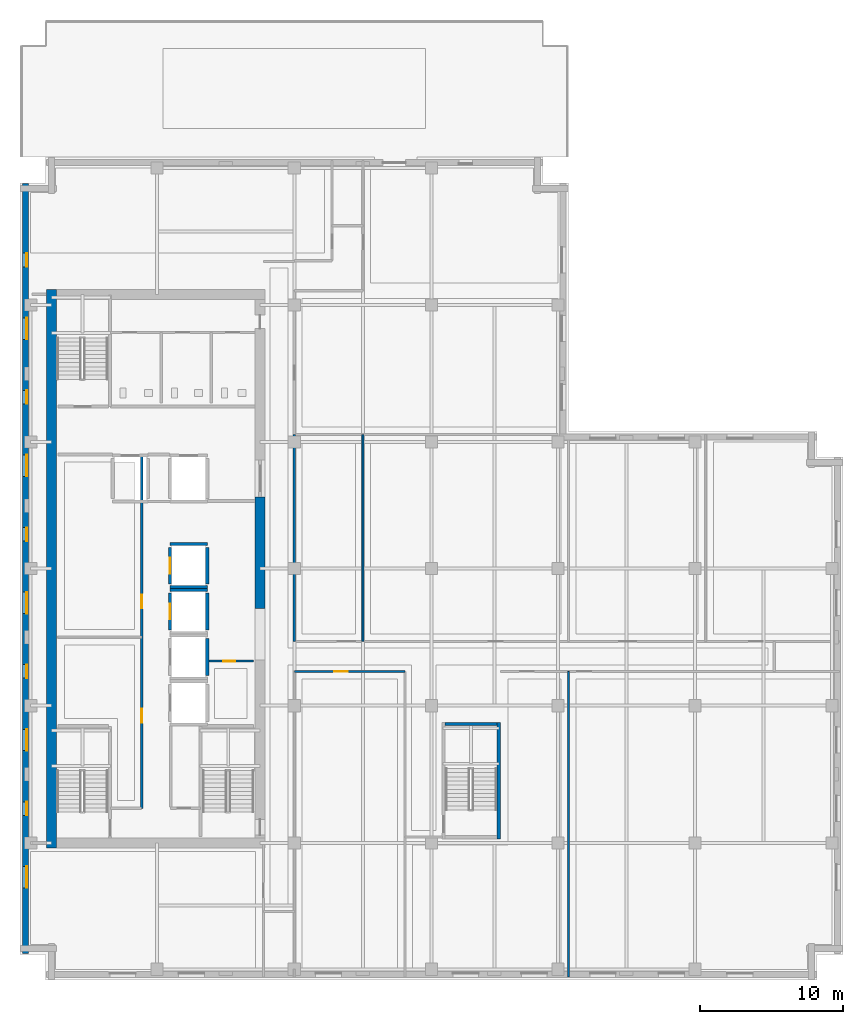
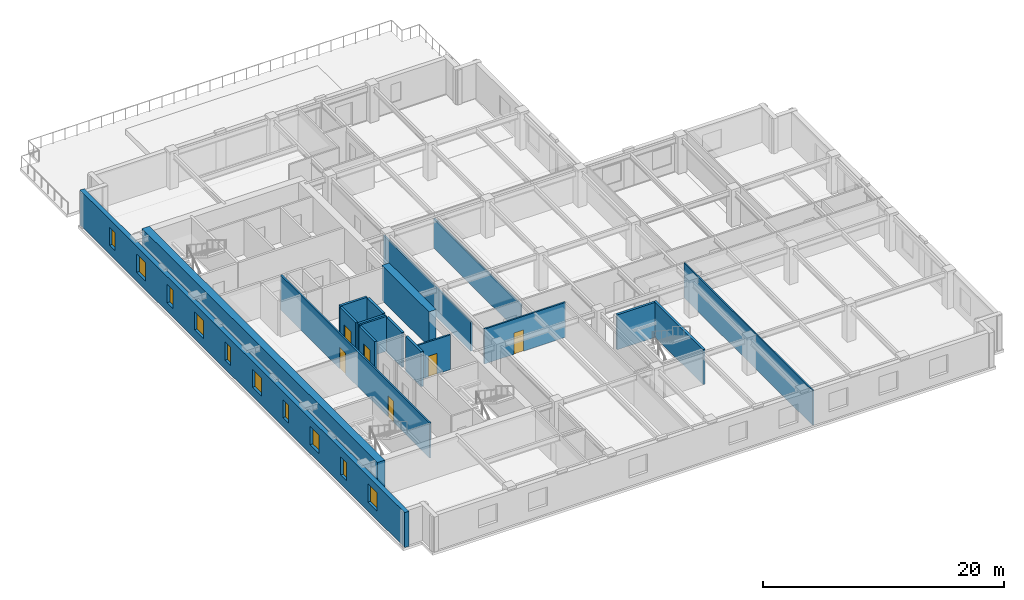
# One storey, part 4 of 12: 19 walls, 10 windows, 6 doors, 16 openings.
"""IFC4 building model written with IfcOpenShell, lengths in metres."""

from ifc_helpers import new_model, si_unit, direction, frame, frame_2d, origin, place, context, subcontext, project, spatial, rectangle, extrude, material, layer, layer_set, type_object, element, fill, save


model = new_model("IFC4")

# Units and contexts
model_context = context("Model", 3, precision=1e-05, world=origin(), true_north=direction((0.0, 1.0)))
body_context = subcontext(model_context, "Body", "Model", "MODEL_VIEW")
ifc_project = project(units=[si_unit("LENGTHUNIT", "METRE"), si_unit("AREAUNIT", "SQUARE_METRE"), si_unit("VOLUMEUNIT", "CUBIC_METRE"), si_unit("PLANEANGLEUNIT", "RADIAN"), si_unit("MASSUNIT", "GRAM", prefix="KILO")], contexts=[model_context])

# Site, building, storey
site_placement = place(None, origin())
site = spatial("IfcSite", under=ifc_project, at=site_placement, CompositionType="ELEMENT")
building_placement = place(site_placement, origin())
building = spatial("IfcBuilding", under=site, at=building_placement, Name="Norrvale University Quadrangle", CompositionType="ELEMENT")
storey_placement = place(building_placement, frame((0.0, 0.0, 199.0)))
storey = spatial("IfcBuildingStorey", under=building, at=storey_placement, Name="L50", CompositionType="ELEMENT", Elevation=199.0)

# Wall, openings, windows
ifc_material_1 = material(Name="Buff Norman Clay Brick Masonry", Category="masonry")
ifc_layer_1 = layer(ifc_material_1, 0.419921875, Name="Buff Norman Clay Brick Masonry")
ifc_layer_set_1 = layer_set([ifc_layer_1], Name="Buff Norman Clay Brick Masonry")
wall_type_1 = type_object("IfcWallType", Name="Wall Buff Brick 420", PredefinedType="SOLIDWALL", material=ifc_layer_set_1)
wall_1_placement = place(storey_placement, frame((0.389892578125, 55.760009765625, 0.0), z_axis=(0.0, 0.0, 1.0), x_axis=(0.0, -1.0, 0.0)))
wall_1 = element("IfcWall", 1, at=wall_1_placement, inside=storey, type_object=wall_type_1, Name="Exterior Brick Facade Wall L50-14.1", PredefinedType="SOLIDWALL", context=body_context, shape_type="SweptSolid", body=[
    extrude(rectangle(XDim=53.919921875, YDim=0.419921875, at=frame_2d((26.9599609375, 0.0))), origin(), (0.0, 0.0, 1.0), 3.5400390625),
])
opening_1_placement = place(wall_1_placement, frame((4.885009765625, 0.0, 0.89990234375)))
opening_1 = element("IfcOpeningElement", 2, at=opening_1_placement, cuts=wall_1, Name="Opening W04", PredefinedType="OPENING", context=body_context, shape_type="SweptSolid", body=[
    extrude(rectangle(XDim=0.949951171875, YDim=1.85009765625, at=frame_2d((0.47509765625, 0.925048828125))), frame((0.0, 0.221923828125, 0.0), z_axis=(0.0, -1.0, 0.0), x_axis=(1.0, 0.0, 0.0)), (0.0, 0.0, 1.0), 0.44384765625),
])
opening_2_placement = place(wall_1_placement, frame((9.409912109375, 0.0, 0.89990234375)))
opening_2 = element("IfcOpeningElement", 3, at=opening_2_placement, cuts=wall_1, Name="Opening W03", PredefinedType="OPENING", context=body_context, shape_type="SweptSolid", body=[
    extrude(rectangle(XDim=1.5, YDim=1.85009765625, at=frame_2d((0.75, 0.925048828125))), frame((0.0, 0.221923828125, 0.0), z_axis=(0.0, -1.0, 0.0), x_axis=(1.0, 0.0, 0.0)), (0.0, 0.0, 1.0), 0.44384765625),
])
opening_3_placement = place(wall_1_placement, frame((14.485107421875, 0.0, 0.89990234375)))
opening_3 = element("IfcOpeningElement", 4, at=opening_3_placement, cuts=wall_1, Name="Opening W04", PredefinedType="OPENING", context=body_context, shape_type="SweptSolid", body=[
    extrude(rectangle(XDim=0.949951171875, YDim=1.85009765625, at=frame_2d((0.47509765625, 0.925048828125))), frame((0.0, 0.221923828125, 0.0), z_axis=(0.0, -1.0, 0.0), x_axis=(1.0, 0.0, 0.0)), (0.0, 0.0, 1.0), 0.44384765625),
])
opening_4_placement = place(wall_1_placement, frame((19.010009765625, 0.0, 0.89990234375)))
opening_4 = element("IfcOpeningElement", 5, at=opening_4_placement, cuts=wall_1, Name="Opening W03", PredefinedType="OPENING", context=body_context, shape_type="SweptSolid", body=[
    extrude(rectangle(XDim=1.5, YDim=1.85009765625, at=frame_2d((0.75, 0.925048828125))), frame((0.0, 0.221923828125, 0.0), z_axis=(0.0, -1.0, 0.0), x_axis=(1.0, 0.0, 0.0)), (0.0, 0.0, 1.0), 0.44384765625),
])
opening_5_placement = place(wall_1_placement, frame((24.0849609375, 0.0, 0.89990234375)))
opening_5 = element("IfcOpeningElement", 6, at=opening_5_placement, cuts=wall_1, Name="Opening W04", PredefinedType="OPENING", context=body_context, shape_type="SweptSolid", body=[
    extrude(rectangle(XDim=0.949951171875, YDim=1.85009765625, at=frame_2d((0.47509765625, 0.925048828125))), frame((0.0, 0.221923828125, 0.0), z_axis=(0.0, -1.0, 0.0), x_axis=(1.0, 0.0, 0.0)), (0.0, 0.0, 1.0), 0.44384765625),
])
opening_6_placement = place(wall_1_placement, frame((28.610107421875, 0.0, 0.89990234375)))
opening_6 = element("IfcOpeningElement", 7, at=opening_6_placement, cuts=wall_1, Name="Opening W03", PredefinedType="OPENING", context=body_context, shape_type="SweptSolid", body=[
    extrude(rectangle(XDim=1.5, YDim=1.85009765625, at=frame_2d((0.75, 0.925048828125))), frame((0.0, 0.221923828125, 0.0), z_axis=(0.0, -1.0, 0.0), x_axis=(1.0, 0.0, 0.0)), (0.0, 0.0, 1.0), 0.44384765625),
])
opening_7_placement = place(wall_1_placement, frame((33.68505859375, 0.0, 0.89990234375)))
opening_7 = element("IfcOpeningElement", 8, at=opening_7_placement, cuts=wall_1, Name="Opening W04", PredefinedType="OPENING", context=body_context, shape_type="SweptSolid", body=[
    extrude(rectangle(XDim=0.949951171875, YDim=1.85009765625, at=frame_2d((0.47509765625, 0.925048828125))), frame((0.0, 0.221923828125, 0.0), z_axis=(0.0, -1.0, 0.0), x_axis=(1.0, 0.0, 0.0)), (0.0, 0.0, 1.0), 0.44384765625),
])
opening_8_placement = place(wall_1_placement, frame((38.2099609375, 0.0, 0.89990234375)))
opening_8 = element("IfcOpeningElement", 9, at=opening_8_placement, cuts=wall_1, Name="Opening W03", PredefinedType="OPENING", context=body_context, shape_type="SweptSolid", body=[
    extrude(rectangle(XDim=1.5, YDim=1.85009765625, at=frame_2d((0.75, 0.925048828125))), frame((0.0, 0.221923828125, 0.0), z_axis=(0.0, -1.0, 0.0), x_axis=(1.0, 0.0, 0.0)), (0.0, 0.0, 1.0), 0.44384765625),
])
opening_9_placement = place(wall_1_placement, frame((43.284912109375, 0.0, 0.89990234375)))
opening_9 = element("IfcOpeningElement", 10, at=opening_9_placement, cuts=wall_1, Name="Opening W04", PredefinedType="OPENING", context=body_context, shape_type="SweptSolid", body=[
    extrude(rectangle(XDim=0.949951171875, YDim=1.85009765625, at=frame_2d((0.47509765625, 0.925048828125))), frame((0.0, 0.221923828125, 0.0), z_axis=(0.0, -1.0, 0.0), x_axis=(1.0, 0.0, 0.0)), (0.0, 0.0, 1.0), 0.44384765625),
])
opening_10_placement = place(wall_1_placement, frame((47.81005859375, 0.0, 0.89990234375)))
opening_10 = element("IfcOpeningElement", 11, at=opening_10_placement, cuts=wall_1, Name="Opening W03", PredefinedType="OPENING", context=body_context, shape_type="SweptSolid", body=[
    extrude(rectangle(XDim=1.5, YDim=1.85009765625, at=frame_2d((0.75, 0.925048828125))), frame((0.0, 0.221923828125, 0.0), z_axis=(0.0, -1.0, 0.0), x_axis=(1.0, 0.0, 0.0)), (0.0, 0.0, 1.0), 0.44384765625),
])
ifc_material_2 = material(Name="Triple Low-E Argon Glazing", Category="glass")
window_type_1 = type_object("IfcWindowType", Name="Window Narrow Pier 950x2300", PartitioningType="SINGLE_PANEL", PredefinedType="WINDOW", material=ifc_material_2)
window_1_placement = place(opening_1_placement, origin())
window_1 = element("IfcWindow", 12, at=window_1_placement, inside=storey, type_object=window_type_1, Name="Window Narrow Pier 950x2300 WIN-L50-E14-1-01", OverallHeight=1.85009765625, OverallWidth=0.949951171875, PartitioningType="SINGLE_PANEL", PredefinedType="WINDOW", context=body_context, shape_type="SweptSolid", body=[
    extrude(rectangle(XDim=0.949951171875, YDim=1.85009765625, at=frame_2d((0.47509765625, 0.925048828125))), frame((0.0, 0.110107421875, 0.0), z_axis=(0.0, -1.0, 0.0), x_axis=(1.0, 0.0, 0.0)), (0.0, 0.0, 1.0), 0.06005859375),
])
fill(opening_1, window_1)
window_2_placement = place(opening_3_placement, origin())
window_2 = element("IfcWindow", 13, at=window_2_placement, inside=storey, type_object=window_type_1, Name="Window Narrow Pier 950x2300 WIN-L50-E14-1-03", OverallHeight=1.85009765625, OverallWidth=0.949951171875, PartitioningType="SINGLE_PANEL", PredefinedType="WINDOW", context=body_context, shape_type="SweptSolid", body=[
    extrude(rectangle(XDim=0.949951171875, YDim=1.85009765625, at=frame_2d((0.47509765625, 0.925048828125))), frame((0.0, 0.110107421875, 0.0), z_axis=(0.0, -1.0, 0.0), x_axis=(1.0, 0.0, 0.0)), (0.0, 0.0, 1.0), 0.06005859375),
])
fill(opening_3, window_2)
window_3_placement = place(opening_5_placement, origin())
window_3 = element("IfcWindow", 14, at=window_3_placement, inside=storey, type_object=window_type_1, Name="Window Narrow Pier 950x2300 WIN-L50-E14-1-05", OverallHeight=1.85009765625, OverallWidth=0.949951171875, PartitioningType="SINGLE_PANEL", PredefinedType="WINDOW", context=body_context, shape_type="SweptSolid", body=[
    extrude(rectangle(XDim=0.949951171875, YDim=1.85009765625, at=frame_2d((0.47509765625, 0.925048828125))), frame((0.0, 0.110107421875, 0.0), z_axis=(0.0, -1.0, 0.0), x_axis=(1.0, 0.0, 0.0)), (0.0, 0.0, 1.0), 0.06005859375),
])
fill(opening_5, window_3)
window_4_placement = place(opening_7_placement, origin())
window_4 = element("IfcWindow", 15, at=window_4_placement, inside=storey, type_object=window_type_1, Name="Window Narrow Pier 950x2300 WIN-L50-E14-1-07", OverallHeight=1.85009765625, OverallWidth=0.949951171875, PartitioningType="SINGLE_PANEL", PredefinedType="WINDOW", context=body_context, shape_type="SweptSolid", body=[
    extrude(rectangle(XDim=0.949951171875, YDim=1.85009765625, at=frame_2d((0.47509765625, 0.925048828125))), frame((0.0, 0.110107421875, 0.0), z_axis=(0.0, -1.0, 0.0), x_axis=(1.0, 0.0, 0.0)), (0.0, 0.0, 1.0), 0.06005859375),
])
fill(opening_7, window_4)
window_5_placement = place(opening_9_placement, origin())
window_5 = element("IfcWindow", 16, at=window_5_placement, inside=storey, type_object=window_type_1, Name="Window Narrow Pier 950x2300 WIN-L50-E14-1-09", OverallHeight=1.85009765625, OverallWidth=0.949951171875, PartitioningType="SINGLE_PANEL", PredefinedType="WINDOW", context=body_context, shape_type="SweptSolid", body=[
    extrude(rectangle(XDim=0.949951171875, YDim=1.85009765625, at=frame_2d((0.47509765625, 0.925048828125))), frame((0.0, 0.110107421875, 0.0), z_axis=(0.0, -1.0, 0.0), x_axis=(1.0, 0.0, 0.0)), (0.0, 0.0, 1.0), 0.06005859375),
])
fill(opening_9, window_5)
window_type_2 = type_object("IfcWindowType", Name="Window Studio 1500x2300", PartitioningType="DOUBLE_PANEL_VERTICAL", PredefinedType="WINDOW", material=ifc_material_2)
window_6_placement = place(opening_2_placement, origin())
window_6 = element("IfcWindow", 17, at=window_6_placement, inside=storey, type_object=window_type_2, Name="Window Studio 1500x2300 WIN-L50-E14-1-02", OverallHeight=1.85009765625, OverallWidth=1.5, PartitioningType="DOUBLE_PANEL_VERTICAL", PredefinedType="WINDOW", context=body_context, shape_type="SweptSolid", body=[
    extrude(rectangle(XDim=1.5, YDim=1.85009765625, at=frame_2d((0.75, 0.925048828125))), frame((0.0, 0.110107421875, 0.0), z_axis=(0.0, -1.0, 0.0), x_axis=(1.0, 0.0, 0.0)), (0.0, 0.0, 1.0), 0.06005859375),
])
fill(opening_2, window_6)
window_7_placement = place(opening_4_placement, origin())
window_7 = element("IfcWindow", 18, at=window_7_placement, inside=storey, type_object=window_type_2, Name="Window Studio 1500x2300 WIN-L50-E14-1-04", OverallHeight=1.85009765625, OverallWidth=1.5, PartitioningType="DOUBLE_PANEL_VERTICAL", PredefinedType="WINDOW", context=body_context, shape_type="SweptSolid", body=[
    extrude(rectangle(XDim=1.5, YDim=1.85009765625, at=frame_2d((0.75, 0.925048828125))), frame((0.0, 0.110107421875, 0.0), z_axis=(0.0, -1.0, 0.0), x_axis=(1.0, 0.0, 0.0)), (0.0, 0.0, 1.0), 0.06005859375),
])
fill(opening_4, window_7)
window_8_placement = place(opening_6_placement, origin())
window_8 = element("IfcWindow", 19, at=window_8_placement, inside=storey, type_object=window_type_2, Name="Window Studio 1500x2300 WIN-L50-E14-1-06", OverallHeight=1.85009765625, OverallWidth=1.5, PartitioningType="DOUBLE_PANEL_VERTICAL", PredefinedType="WINDOW", context=body_context, shape_type="SweptSolid", body=[
    extrude(rectangle(XDim=1.5, YDim=1.85009765625, at=frame_2d((0.75, 0.925048828125))), frame((0.0, 0.110107421875, 0.0), z_axis=(0.0, -1.0, 0.0), x_axis=(1.0, 0.0, 0.0)), (0.0, 0.0, 1.0), 0.06005859375),
])
fill(opening_6, window_8)
window_9_placement = place(opening_8_placement, origin())
window_9 = element("IfcWindow", 20, at=window_9_placement, inside=storey, type_object=window_type_2, Name="Window Studio 1500x2300 WIN-L50-E14-1-08", OverallHeight=1.85009765625, OverallWidth=1.5, PartitioningType="DOUBLE_PANEL_VERTICAL", PredefinedType="WINDOW", context=body_context, shape_type="SweptSolid", body=[
    extrude(rectangle(XDim=1.5, YDim=1.85009765625, at=frame_2d((0.75, 0.925048828125))), frame((0.0, 0.110107421875, 0.0), z_axis=(0.0, -1.0, 0.0), x_axis=(1.0, 0.0, 0.0)), (0.0, 0.0, 1.0), 0.06005859375),
])
fill(opening_8, window_9)
window_10_placement = place(opening_10_placement, origin())
window_10 = element("IfcWindow", 21, at=window_10_placement, inside=storey, type_object=window_type_2, Name="Window Studio 1500x2300 WIN-L50-E14-1-10", OverallHeight=1.85009765625, OverallWidth=1.5, PartitioningType="DOUBLE_PANEL_VERTICAL", PredefinedType="WINDOW", context=body_context, shape_type="SweptSolid", body=[
    extrude(rectangle(XDim=1.5, YDim=1.85009765625, at=frame_2d((0.75, 0.925048828125))), frame((0.0, 0.110107421875, 0.0), z_axis=(0.0, -1.0, 0.0), x_axis=(1.0, 0.0, 0.0)), (0.0, 0.0, 1.0), 0.06005859375),
])
fill(opening_10, window_10)

# Walls
ifc_material_3 = material(Name="Concrete C60/75", Category="concrete")
ifc_layer_2 = layer(ifc_material_3, 0.699951171875, Name="Concrete C60/75")
ifc_layer_set_2 = layer_set([ifc_layer_2], Name="Concrete C60/75")
wall_type_2 = type_object("IfcWallType", Name="Wall Core 700", PredefinedType="SHEAR", material=ifc_layer_set_2)
wall_2_placement = place(storey_placement, frame((2.199951171875, 9.25, 0.0), z_axis=(0.0, 0.0, 1.0), x_axis=(0.0, 1.0, 0.0)))
element("IfcWall", 22, at=wall_2_placement, inside=storey, type_object=wall_type_2, Name="Tower Core Shear Wall L50-W", PredefinedType="SHEAR", context=body_context, shape_type="SweptSolid", body=[
    extrude(rectangle(XDim=39.10009765625, YDim=0.699951171875, at=frame_2d((19.550048828125, 0.0))), origin(), (0.0, 0.0, 1.0), 3.5400390625),
])
wall_3_placement = place(storey_placement, frame((16.800048828125, 26.0, 0.0), z_axis=(0.0, 0.0, 1.0), x_axis=(0.0, 1.0, 0.0)))
element("IfcWall", 23, at=wall_3_placement, inside=storey, type_object=wall_type_2, Name="Tower Core Shear Wall L50-E2", PredefinedType="SHEAR", context=body_context, shape_type="SweptSolid", body=[
    extrude(rectangle(XDim=7.800048828125, YDim=0.699951171875, at=frame_2d((3.89990234375, 0.0))), origin(), (0.0, 0.0, 1.0), 3.5400390625),
])
ifc_material_4 = material(Name="Standard Academic Gypsum Partition")
ifc_layer_3 = layer(ifc_material_4, 0.125, Name="Standard Academic Gypsum Partition")
ifc_layer_set_3 = layer_set([ifc_layer_3], Name="Standard Academic Gypsum Partition")
wall_type_3 = type_object("IfcWallType", Name="Wall Gypsum Academic 125", PredefinedType="PARTITIONING", material=ifc_layer_set_3)
wall_4_placement = place(storey_placement, frame((38.39990234375, 0.219970703125, 0.0), z_axis=(0.0, 0.0, 1.0), x_axis=(0.0, 1.0, 0.0)))
element("IfcWall", 24, at=wall_4_placement, inside=storey, type_object=wall_type_3, Name="Interior Partition WL-L50-SEP2", PredefinedType="PARTITIONING", context=body_context, shape_type="SweptSolid", body=[
    extrude(rectangle(XDim=21.380126953125, YDim=0.125, at=frame_2d((10.68994140625, 0.0))), origin(), (0.0, 0.0, 1.0), 3.5400390625),
])
wall_5_placement = place(storey_placement, frame((24.0, 23.699951171875, 0.0), z_axis=(0.0, 0.0, 1.0), x_axis=(0.0, 1.0, 0.0)))
element("IfcWall", 25, at=wall_5_placement, inside=storey, type_object=wall_type_3, Name="Interior Partition WL-L50-MEP01", PredefinedType="PARTITIONING", context=body_context, shape_type="SweptSolid", body=[
    extrude(rectangle(XDim=14.47998046875, YDim=0.125, at=frame_2d((7.239990234375, 0.0))), origin(), (0.0, 0.0, 1.0), 3.007080078125),
])

# Wall, opening, door
ifc_material_5 = material(Name="Fire-Rated Gypsum Stud Partition")
ifc_layer_4 = layer(ifc_material_5, 0.14990234375, Name="Fire-Rated Gypsum Stud Partition")
ifc_layer_set_4 = layer_set([ifc_layer_4], Name="Fire-Rated Gypsum Stud Partition")
wall_type_4 = type_object("IfcWallType", Name="Wall Gypsum Corridor 150", PredefinedType="PARTITIONING", material=ifc_layer_set_4)
wall_6_placement = place(storey_placement, frame((13.22509765625, 22.320068359375, 0.0), z_axis=(0.0, 0.0, 1.0), x_axis=(1.0, 0.0, 0.0)))
wall_6 = element("IfcWall", 26, at=wall_6_placement, inside=storey, type_object=wall_type_4, Name="Interior Partition WL-L50-JAN-N", PredefinedType="PARTITIONING", context=body_context, shape_type="SweptSolid", body=[
    extrude(rectangle(XDim=3.119873046875, YDim=0.14990234375, at=frame_2d((1.56005859375, 0.0))), origin(), (0.0, 0.0, 1.0), 3.5400390625),
])
opening_11_placement = place(wall_6_placement, frame((1.0, 0.0, 0.0)))
opening_11 = element("IfcOpeningElement", 27, at=opening_11_placement, cuts=wall_6, Name="Opening D10", PredefinedType="OPENING", context=body_context, shape_type="SweptSolid", body=[
    extrude(rectangle(XDim=0.85009765625, YDim=2.10009765625, at=frame_2d((0.425048828125, 1.050048828125))), frame((0.0, 0.0869140625, 0.0), z_axis=(0.0, -1.0, 0.0), x_axis=(1.0, 0.0, 0.0)), (0.0, 0.0, 1.0), 0.173828125),
])
ifc_material_6 = material(Name="Hollow Steel 350W Riser Fire Door", Category="steel")
door_type_1 = type_object("IfcDoorType", Name="Door Riser 850x2100", OperationType="NOTDEFINED", PredefinedType="DOOR", material=ifc_material_6)
door_1_placement = place(opening_11_placement, origin())
door_1 = element("IfcDoor", 28, at=door_1_placement, inside=storey, type_object=door_type_1, Name="Door Riser 850x2100 DR-L50-JAN", OperationType="SINGLE_SWING_LEFT", OverallHeight=2.10009765625, OverallWidth=0.85009765625, PredefinedType="DOOR", context=body_context, shape_type="SweptSolid", body=[
    extrude(rectangle(XDim=0.85009765625, YDim=2.10009765625, at=frame_2d((0.425048828125, 1.050048828125))), frame((0.0, 0.02490234375, 0.0), z_axis=(0.0, -1.0, 0.0), x_axis=(1.0, 0.0, 0.0)), (0.0, 0.0, 1.0), 0.050048828125),
])
fill(opening_11, door_1)

# Wall, openings, doors
wall_7_placement = place(storey_placement, frame((8.52001953125, 12.02001953125, 0.0), z_axis=(0.0, 0.0, 1.0), x_axis=(0.0, 1.0, 0.0)))
wall_7 = element("IfcWall", 29, at=wall_7_placement, inside=storey, type_object=wall_type_4, Name="Interior Partition WL-L50-REC-E", PredefinedType="PARTITIONING", context=body_context, shape_type="SweptSolid", body=[
    extrude(rectangle(XDim=24.760009765625, YDim=0.14990234375, at=frame_2d((12.3798828125, 0.0))), origin(), (0.0, 0.0, 1.0), 3.5400390625),
])
opening_12_placement = place(wall_7_placement, frame((6.0, 0.0, 0.0)))
opening_12 = element("IfcOpeningElement", 30, at=opening_12_placement, cuts=wall_7, Name="Opening D07", PredefinedType="OPENING", context=body_context, shape_type="SweptSolid", body=[
    extrude(rectangle(XDim=0.949951171875, YDim=2.14990234375, at=frame_2d((0.47509765625, 1.074951171875))), frame((0.0, 0.0869140625, 0.0), z_axis=(0.0, -1.0, 0.0), x_axis=(1.0, 0.0, 0.0)), (0.0, 0.0, 1.0), 0.173828125),
])
opening_13_placement = place(wall_7_placement, frame((14.0, 0.0, 0.0)))
opening_13 = element("IfcOpeningElement", 31, at=opening_13_placement, cuts=wall_7, Name="Opening D07", PredefinedType="OPENING", context=body_context, shape_type="SweptSolid", body=[
    extrude(rectangle(XDim=0.949951171875, YDim=2.14990234375, at=frame_2d((0.47509765625, 1.074951171875))), frame((0.0, 0.0869140625, 0.0), z_axis=(0.0, -1.0, 0.0), x_axis=(1.0, 0.0, 0.0)), (0.0, 0.0, 1.0), 0.173828125),
])
ifc_material_7 = material(Name="Solid-Core Maple Door", Category="wood")
door_type_2 = type_object("IfcDoorType", Name="Door Office 950x2150", OperationType="NOTDEFINED", PredefinedType="DOOR", material=ifc_material_7)
door_2_placement = place(opening_12_placement, origin())
door_2 = element("IfcDoor", 32, at=door_2_placement, inside=storey, type_object=door_type_2, Name="Door Office 950x2150 DR-L50-REC1", OperationType="SINGLE_SWING_LEFT", OverallHeight=2.14990234375, OverallWidth=0.949951171875, PredefinedType="DOOR", context=body_context, shape_type="SweptSolid", body=[
    extrude(rectangle(XDim=0.949951171875, YDim=2.14990234375, at=frame_2d((0.47509765625, 1.074951171875))), frame((0.0, 0.02490234375, 0.0), z_axis=(0.0, -1.0, 0.0), x_axis=(1.0, 0.0, 0.0)), (0.0, 0.0, 1.0), 0.050048828125),
])
fill(opening_12, door_2)
door_3_placement = place(opening_13_placement, origin())
door_3 = element("IfcDoor", 33, at=door_3_placement, inside=storey, type_object=door_type_2, Name="Door Office 950x2150 DR-L50-REC2", OperationType="SINGLE_SWING_RIGHT", OverallHeight=2.14990234375, OverallWidth=0.949951171875, PredefinedType="DOOR", context=body_context, shape_type="SweptSolid", body=[
    extrude(rectangle(XDim=0.949951171875, YDim=2.14990234375, at=frame_2d((0.47509765625, 1.074951171875))), frame((0.0, 0.02490234375, 0.0), z_axis=(0.0, -1.0, 0.0), x_axis=(1.0, 0.0, 0.0)), (0.0, 0.0, 1.0), 0.050048828125),
])
fill(opening_13, door_3)

# Wall, opening, door
wall_8_placement = place(storey_placement, frame((19.199951171875, 21.60009765625, 0.0), z_axis=(0.0, 0.0, 1.0), x_axis=(1.0, 0.0, 0.0)))
wall_8 = element("IfcWall", 34, at=wall_8_placement, inside=storey, type_object=wall_type_4, Name="Interior Partition WL-L50-SEW1", PredefinedType="PARTITIONING", context=body_context, shape_type="SweptSolid", body=[
    extrude(rectangle(XDim=7.75, YDim=0.14990234375, at=frame_2d((3.875, 0.0))), origin(), (0.0, 0.0, 1.0), 3.5400390625),
])
opening_14_placement = place(wall_8_placement, frame((2.800048828125, 0.0, 0.0)))
opening_14 = element("IfcOpeningElement", 35, at=opening_14_placement, cuts=wall_8, Name="Opening D07", PredefinedType="OPENING", context=body_context, shape_type="SweptSolid", body=[
    extrude(rectangle(XDim=0.949951171875, YDim=2.14990234375, at=frame_2d((0.47509765625, 1.074951171875))), frame((0.0, 0.0869140625, 0.0), z_axis=(0.0, -1.0, 0.0), x_axis=(1.0, 0.0, 0.0)), (0.0, 0.0, 1.0), 0.173828125),
])
door_4_placement = place(opening_14_placement, origin())
door_4 = element("IfcDoor", 36, at=door_4_placement, inside=storey, type_object=door_type_2, Name="Door Office 950x2150 DR-L50-SE1", OperationType="SINGLE_SWING_LEFT", OverallHeight=2.14990234375, OverallWidth=0.949951171875, PredefinedType="DOOR", context=body_context, shape_type="SweptSolid", body=[
    extrude(rectangle(XDim=0.949951171875, YDim=2.14990234375, at=frame_2d((0.47509765625, 1.074951171875))), frame((0.0, 0.02490234375, 0.0), z_axis=(0.0, -1.0, 0.0), x_axis=(1.0, 0.0, 0.0)), (0.0, 0.0, 1.0), 0.050048828125),
])
fill(opening_14, door_4)

# Walls
wall_9_placement = place(storey_placement, frame((19.199951171875, 23.699951171875, 0.0), z_axis=(0.0, 0.0, 1.0), x_axis=(0.0, 1.0, 0.0)))
element("IfcWall", 37, at=wall_9_placement, inside=storey, type_object=wall_type_4, Name="Interior Partition WL-L50-ME-W", PredefinedType="PARTITIONING", context=body_context, shape_type="SweptSolid", body=[
    extrude(rectangle(XDim=14.47998046875, YDim=0.14990234375, at=frame_2d((7.239990234375, 0.0))), origin(), (0.0, 0.0, 1.0), 2.99609375),
])
ifc_material_8 = material(Name="Concrete Blockwork 20 MPa Fire Shaft", Category="masonry")
ifc_layer_5 = layer(ifc_material_8, 0.219970703125, Name="Concrete Blockwork 20 MPa Fire Shaft")
ifc_layer_set_5 = layer_set([ifc_layer_5], Name="Concrete Blockwork 20 MPa Fire Shaft")
wall_type_5 = type_object("IfcWallType", Name="Wall Shaft 220", PredefinedType="SOLIDWALL", material=ifc_layer_set_5)
wall_10_placement = place(storey_placement, frame((33.510009765625, 9.8798828125, 0.0), z_axis=(0.0, 0.0, 1.0), x_axis=(0.0, 1.0, 0.0)))
element("IfcWall", 38, at=wall_10_placement, inside=storey, type_object=wall_type_5, Name="Stair ST-04 East Shaft Wall L50", PredefinedType="SOLIDWALL", context=body_context, shape_type="SweptSolid", body=[
    extrude(rectangle(XDim=8.14013671875, YDim=0.219970703125, at=frame_2d((4.070068359375, 0.0))), origin(), (0.0, 0.0, 1.0), 3.5400390625),
])
wall_11_placement = place(storey_placement, frame((29.75, 17.909912109375, 0.0), z_axis=(0.0, 0.0, 1.0), x_axis=(1.0, 0.0, 0.0)))
element("IfcWall", 39, at=wall_11_placement, inside=storey, type_object=wall_type_5, Name="Stair ST-04 North Shaft Wall L50", PredefinedType="SOLIDWALL", context=body_context, shape_type="SweptSolid", body=[
    extrude(rectangle(XDim=3.64990234375, YDim=0.219970703125, at=frame_2d((1.824951171875, 0.0))), origin(), (0.0, 0.0, 1.0), 3.5400390625),
])
wall_12_placement = place(storey_placement, frame((13.110107421875, 21.31005859375, 0.0), z_axis=(0.0, 0.0, 1.0), x_axis=(0.0, 1.0, 0.0)))
element("IfcWall", 40, at=wall_12_placement, inside=storey, type_object=wall_type_5, Name="Hoistway PL-06 East Wall L50", PredefinedType="SOLIDWALL", context=body_context, shape_type="SweptSolid", body=[
    extrude(rectangle(XDim=2.579833984375, YDim=0.219970703125, at=frame_2d((1.2900390625, 0.0))), origin(), (0.0, 0.0, 1.0), 3.5400390625),
])

# Wall, opening, door
wall_13_placement = place(storey_placement, frame((10.489990234375, 24.510009765625, 0.0), z_axis=(0.0, 0.0, 1.0), x_axis=(0.0, 1.0, 0.0)))
wall_13 = element("IfcWall", 41, at=wall_13_placement, inside=storey, type_object=wall_type_5, Name="Hoistway PL-07 West Wall L50", PredefinedType="SOLIDWALL", context=body_context, shape_type="SweptSolid", body=[
    extrude(rectangle(XDim=2.580078125, YDim=0.219970703125, at=frame_2d((1.2900390625, 0.0))), origin(), (0.0, 0.0, 1.0), 3.5400390625),
])
opening_15_placement = place(wall_13_placement, frame((0.739990234375, 0.0, 0.0)))
opening_15 = element("IfcOpeningElement", 42, at=opening_15_placement, cuts=wall_13, Name="Opening LD1", PredefinedType="OPENING", context=body_context, shape_type="SweptSolid", body=[
    extrude(rectangle(XDim=1.10009765625, YDim=2.199951171875, at=frame_2d((0.550048828125, 1.10009765625))), frame((0.0, 0.1220703125, 0.0), z_axis=(0.0, -1.0, 0.0), x_axis=(1.0, 0.0, 0.0)), (0.0, 0.0, 1.0), 0.243896484375),
])
ifc_material_9 = material(Name="Stainless Steel 316L Lift Landing Door", Category="steel")
door_type_3 = type_object("IfcDoorType", Name="Door Lift Landing 1100x2200", OperationType="DOUBLE_DOOR_SLIDING", PredefinedType="DOOR", material=ifc_material_9)
door_5_placement = place(opening_15_placement, origin())
door_5 = element("IfcDoor", 43, at=door_5_placement, inside=storey, type_object=door_type_3, Name="Elevator Landing Door DR-L50-PL-07", OperationType="DOUBLE_DOOR_SLIDING", OverallHeight=2.199951171875, OverallWidth=1.10009765625, PredefinedType="DOOR", context=body_context, shape_type="SweptSolid", body=[
    extrude(rectangle(XDim=1.10009765625, YDim=2.199951171875, at=frame_2d((0.550048828125, 1.10009765625))), frame((0.0, 0.02490234375, 0.0), z_axis=(0.0, -1.0, 0.0), x_axis=(1.0, 0.0, 0.0)), (0.0, 0.0, 1.0), 0.050048828125),
])
fill(opening_15, door_5)

# Walls
wall_14_placement = place(storey_placement, frame((13.110107421875, 24.510009765625, 0.0), z_axis=(0.0, 0.0, 1.0), x_axis=(0.0, 1.0, 0.0)))
element("IfcWall", 44, at=wall_14_placement, inside=storey, type_object=wall_type_5, Name="Hoistway PL-07 East Wall L50", PredefinedType="SOLIDWALL", context=body_context, shape_type="SweptSolid", body=[
    extrude(rectangle(XDim=2.580078125, YDim=0.219970703125, at=frame_2d((1.2900390625, 0.0))), origin(), (0.0, 0.0, 1.0), 3.5400390625),
])
wall_15_placement = place(storey_placement, frame((10.489990234375, 27.31005859375, 0.0), z_axis=(0.0, 0.0, 1.0), x_axis=(1.0, 0.0, 0.0)))
element("IfcWall", 45, at=wall_15_placement, inside=storey, type_object=wall_type_5, Name="Hoistway PL-07 North Wall L50", PredefinedType="SOLIDWALL", context=body_context, shape_type="SweptSolid", body=[
    extrude(rectangle(XDim=2.6201171875, YDim=0.219970703125, at=frame_2d((1.31005859375, 0.0))), origin(), (0.0, 0.0, 1.0), 3.5400390625),
])

# Wall, opening, door
wall_16_placement = place(storey_placement, frame((10.489990234375, 27.7099609375, 0.0), z_axis=(0.0, 0.0, 1.0), x_axis=(0.0, 1.0, 0.0)))
wall_16 = element("IfcWall", 46, at=wall_16_placement, inside=storey, type_object=wall_type_5, Name="Hoistway PL-08 West Wall L50", PredefinedType="SOLIDWALL", context=body_context, shape_type="SweptSolid", body=[
    extrude(rectangle(XDim=2.580078125, YDim=0.219970703125, at=frame_2d((1.2900390625, 0.0))), origin(), (0.0, 0.0, 1.0), 3.5400390625),
])
opening_16_placement = place(wall_16_placement, frame((0.739990234375, 0.0, 0.0)))
opening_16 = element("IfcOpeningElement", 47, at=opening_16_placement, cuts=wall_16, Name="Opening LD1", PredefinedType="OPENING", context=body_context, shape_type="SweptSolid", body=[
    extrude(rectangle(XDim=1.10009765625, YDim=2.199951171875, at=frame_2d((0.550048828125, 1.10009765625))), frame((0.0, 0.1220703125, 0.0), z_axis=(0.0, -1.0, 0.0), x_axis=(1.0, 0.0, 0.0)), (0.0, 0.0, 1.0), 0.243896484375),
])
door_6_placement = place(opening_16_placement, origin())
door_6 = element("IfcDoor", 48, at=door_6_placement, inside=storey, type_object=door_type_3, Name="Elevator Landing Door DR-L50-PL-08", OperationType="DOUBLE_DOOR_SLIDING", OverallHeight=2.199951171875, OverallWidth=1.10009765625, PredefinedType="DOOR", context=body_context, shape_type="SweptSolid", body=[
    extrude(rectangle(XDim=1.10009765625, YDim=2.199951171875, at=frame_2d((0.550048828125, 1.10009765625))), frame((0.0, 0.02490234375, 0.0), z_axis=(0.0, -1.0, 0.0), x_axis=(1.0, 0.0, 0.0)), (0.0, 0.0, 1.0), 0.050048828125),
])
fill(opening_16, door_6)

# Walls
wall_17_placement = place(storey_placement, frame((13.110107421875, 27.7099609375, 0.0), z_axis=(0.0, 0.0, 1.0), x_axis=(0.0, 1.0, 0.0)))
element("IfcWall", 49, at=wall_17_placement, inside=storey, type_object=wall_type_5, Name="Hoistway PL-08 East Wall L50", PredefinedType="SOLIDWALL", context=body_context, shape_type="SweptSolid", body=[
    extrude(rectangle(XDim=2.580078125, YDim=0.219970703125, at=frame_2d((1.2900390625, 0.0))), origin(), (0.0, 0.0, 1.0), 3.5400390625),
])
for number, where, z_axis, x_axis, name in (
    (50, (10.489990234375, 27.489990234375, 0.0), (0.0, 0.0, 1.0), (1.0, 0.0, 0.0), "Hoistway PL-08 South Wall L50"),
    (51, (10.489990234375, 30.510009765625, 0.0), (0.0, 0.0, 1.0), (1.0, 0.0, 0.0), "Hoistway PL-08 North Wall L50"),
):
    element("IfcWall", number, at=place(storey_placement, frame(where, z_axis=z_axis, x_axis=x_axis)), inside=storey, type_object=wall_type_5, Name=name, PredefinedType="SOLIDWALL", context=body_context, shape_type="SweptSolid", body=[
        extrude(rectangle(XDim=2.6201171875, YDim=0.219970703125, at=frame_2d((1.31005859375, 0.0))), origin(), (0.0, 0.0, 1.0), 3.5400390625),
    ])

save(model, "model.ifc")
